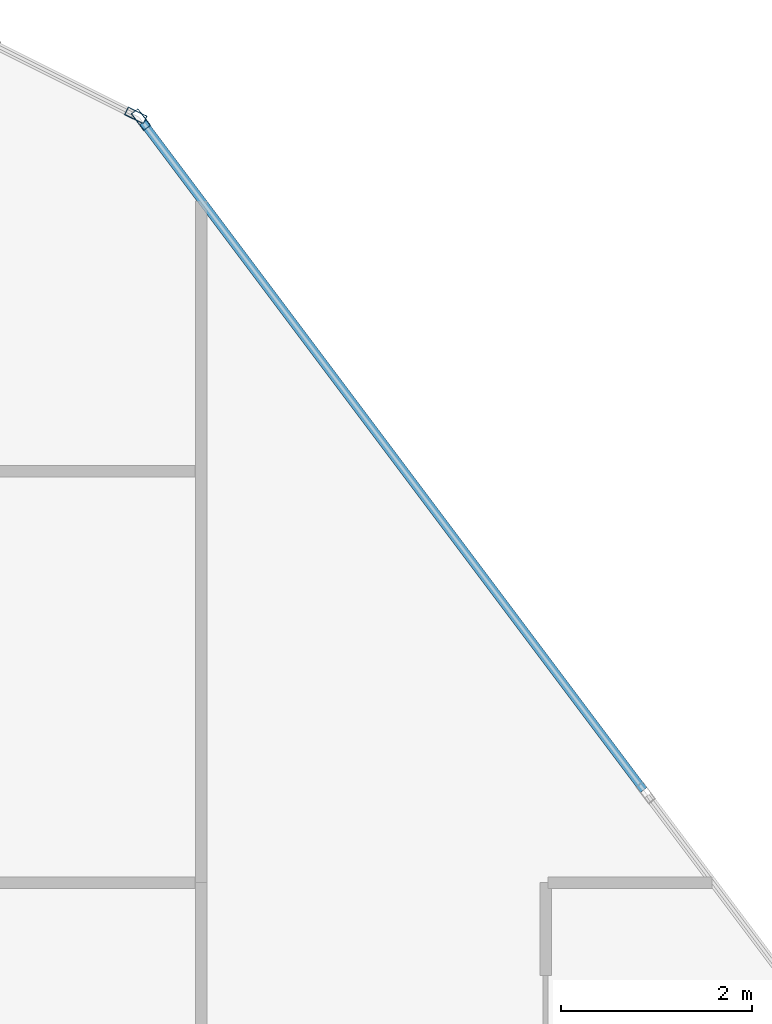
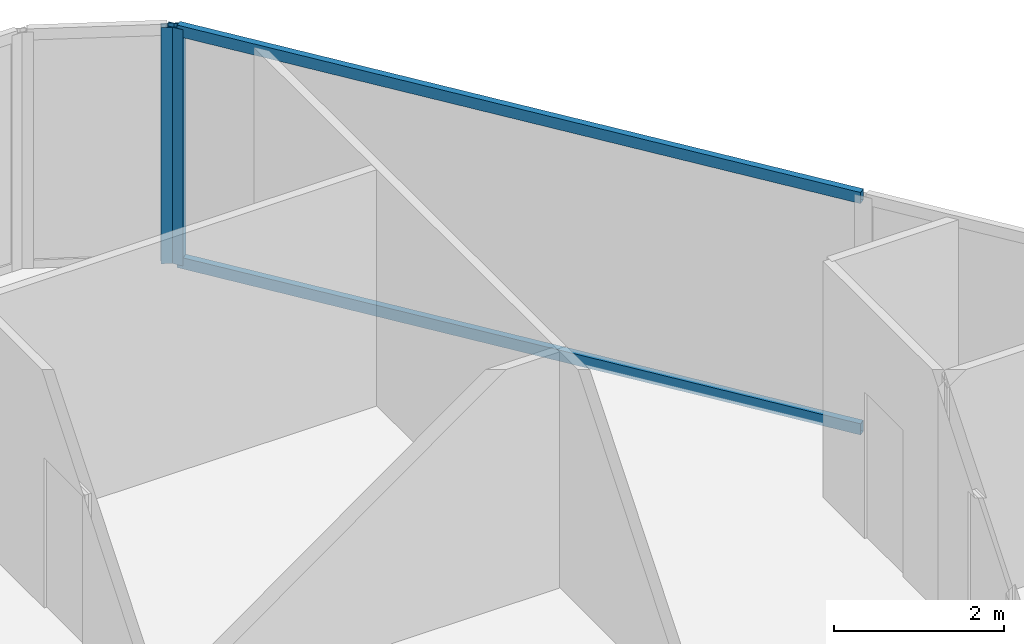
# One storey, part 17 of 33: 4 members, 2 elements without a shape of their own.
"""IFC4 building model written with IfcOpenShell, lengths in metres."""

from ifc_helpers import new_model, si_unit, direction, frame, origin, origin_2d, place, context, subcontext, project, spatial, hollow_rectangle, extrude, material, layer, layer_set, material_profile, profile_set, type_object, element, aggregate, save


model = new_model("IFC4")

# Units and contexts
model_context = context("Model", 3, precision=1e-05, world=origin(), true_north=direction((0.0, 1.0)))
body_context = subcontext(model_context, "Body", "Model", "MODEL_VIEW")
ifc_project = project(units=[si_unit("LENGTHUNIT", "METRE"), si_unit("AREAUNIT", "SQUARE_METRE"), si_unit("VOLUMEUNIT", "CUBIC_METRE"), si_unit("PLANEANGLEUNIT", "RADIAN"), si_unit("MASSUNIT", "GRAM", prefix="KILO")], contexts=[model_context])

# Site, building, storey
site_placement = place(None, origin())
site = spatial("IfcSite", under=ifc_project, at=site_placement, CompositionType="ELEMENT")
building_placement = place(site_placement, origin())
building = spatial("IfcBuilding", under=site, at=building_placement, Name="Keshet Zoharim Tower", CompositionType="ELEMENT")
storey_placement = place(building_placement, frame((0.0, 0.0, 49.89990234375)))
storey = spatial("IfcBuildingStorey", under=building, at=storey_placement, Name="L11", CompositionType="ELEMENT", Elevation=49.89990234375)

# Curtain wall, member
ifc_material = material(Name="Aluminium 6063-T6", Category="aluminium")
ifc_layer = layer(ifc_material, 0.169921875)
ifc_layer_set = layer_set([ifc_layer], Name="Aluminium 6063-T6")
curtain_wall_type = type_object("IfcCurtainWallType", Name="CW-SYS-02", PredefinedType="NOTDEFINED", material=ifc_layer_set)
curtain_wall_1_placement = place(storey_placement, origin())
curtain_wall_1 = element("IfcCurtainWall", 1, at=curtain_wall_1_placement, inside=storey, type_object=curtain_wall_type, Name="L11 Unitised Curtain Wall 08", PredefinedType="NOTDEFINED")
ifc_material_profile_1 = material_profile(ifc_material, hollow_rectangle(XDim=0.090087890625, YDim=0.219970703125, WallThickness=0.0048828125, at=origin_2d()), Name="MUL-90x220")
ifc_profile_set_1 = profile_set([ifc_material_profile_1], Name="Aluminium 6063-T6")
member_type_1 = type_object("IfcMemberType", Name="CWM-M22", PredefinedType="MULLION", material=ifc_profile_set_1)
member_1_placement = place(storey_placement, frame((51.568603515625, 53.11572265625, 0.0), z_axis=(0.0, 0.0, 1.0), x_axis=(0.447213595499, 0.894427191001, 0.0)))
member_1 = element("IfcMember", 2, at=member_1_placement, type_object=member_type_1, Name="CW-02 mullion 2", PredefinedType="MULLION", context=body_context, shape_type="SweptSolid", body=[
    extrude(hollow_rectangle(XDim=0.090087890625, YDim=0.219970703125, WallThickness=0.0048828125, at=origin_2d()), origin(), (0.0, 0.0, 1.0), 3.385009765625),
])
aggregate(curtain_wall_1, [member_1])

# Curtain wall, members
curtain_wall_2_placement = place(storey_placement, origin())
curtain_wall_2 = element("IfcCurtainWall", 3, at=curtain_wall_2_placement, inside=storey, type_object=curtain_wall_type, Name="L11 Unitised Curtain Wall 09", PredefinedType="NOTDEFINED")
member_2_placement = place(storey_placement, frame((51.62109375, 53.072021484375, 0.0), z_axis=(0.0, 0.0, 1.0), x_axis=(0.799999999998, 0.600000000002, 0.0)))
member_2 = element("IfcMember", 4, at=member_2_placement, type_object=member_type_1, Name="CW-02 mullion 1", PredefinedType="MULLION", context=body_context, shape_type="SweptSolid", body=[
    extrude(hollow_rectangle(XDim=0.090087890625, YDim=0.219970703125, WallThickness=0.0048828125, at=origin_2d()), origin(), (0.0, 0.0, 1.0), 3.385009765625),
])
ifc_material_profile_2 = material_profile(ifc_material, hollow_rectangle(XDim=0.0849609375, YDim=0.159912109375, WallThickness=0.00439453125, at=origin_2d()), Name="TRN-85x160")
ifc_profile_set_2 = profile_set([ifc_material_profile_2], Name="Aluminium 6063-T6")
member_type_2 = type_object("IfcMemberType", Name="CWT-T16", PredefinedType="USERDEFINED", material=ifc_profile_set_2)
member_3_placement = place(storey_placement, frame((51.64208984375, 53.0439453125, 0.03515625), z_axis=(0.599991043201, -0.800006717521, 0.0), x_axis=(0.800006717521, 0.599991043201, 0.0)))
member_3 = element("IfcMember", 5, at=member_3_placement, type_object=member_type_2, Name="CW-02 transom 1.1", ObjectType="TRANSOM", PredefinedType="USERDEFINED", context=body_context, shape_type="SweptSolid", body=[
    extrude(hollow_rectangle(XDim=0.0849609375, YDim=0.159912109375, WallThickness=0.00439453125, at=origin_2d()), origin(), (0.0, 0.0, 1.0), 8.722412109375),
])
member_4_placement = place(storey_placement, frame((51.64208984375, 53.0439453125, 3.35009765625), z_axis=(0.599991043201, -0.800006717521, 0.0), x_axis=(0.800006717521, 0.599991043201, 0.0)))
member_4 = element("IfcMember", 6, at=member_4_placement, type_object=member_type_2, Name="CW-02 transom 1.2", ObjectType="TRANSOM", PredefinedType="USERDEFINED", context=body_context, shape_type="SweptSolid", body=[
    extrude(hollow_rectangle(XDim=0.0849609375, YDim=0.159912109375, WallThickness=0.00439453125, at=origin_2d()), origin(), (0.0, 0.0, 1.0), 8.722412109375),
])
aggregate(curtain_wall_2, [member_2, member_3, member_4])

save(model, "model.ifc")
